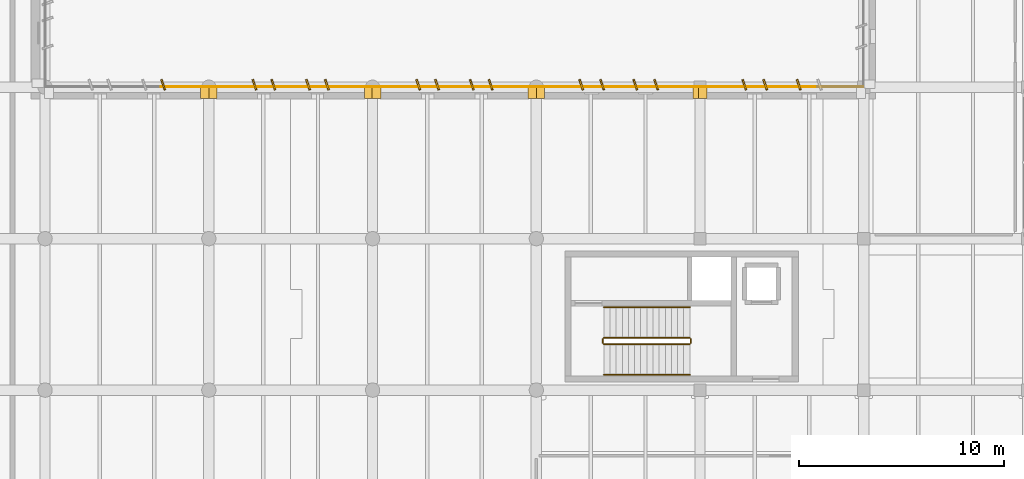
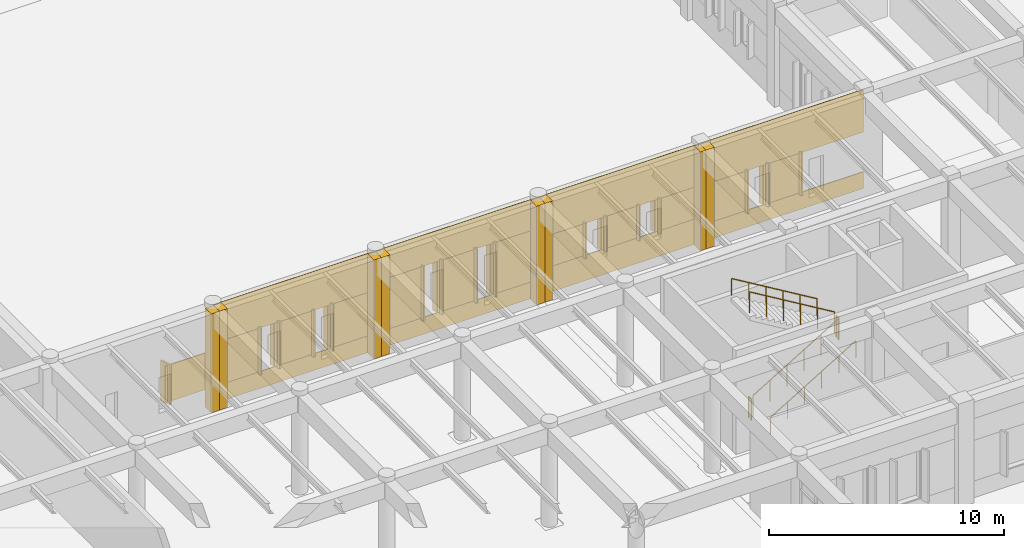
# One storey, part 47 of 56: 44 coverings, 6 railings.
"""IFC4 building model written with IfcOpenShell, lengths in metres."""

from ifc_helpers import new_model, si_unit, direction, frame, frame_2d, origin, origin_2d, place, context, subcontext, project, spatial, rectangle, circle, extrude, material, layer, layer_set, type_object, element, save


model = new_model("IFC4")

# Units and contexts
model_context = context("Model", 3, precision=1e-05, world=origin(), true_north=direction((0.0, 1.0)))
body_context = subcontext(model_context, "Body", "Model", "MODEL_VIEW")
ifc_project = project(units=[si_unit("LENGTHUNIT", "METRE"), si_unit("AREAUNIT", "SQUARE_METRE"), si_unit("VOLUMEUNIT", "CUBIC_METRE"), si_unit("PLANEANGLEUNIT", "RADIAN"), si_unit("MASSUNIT", "GRAM", prefix="KILO")], contexts=[model_context])

# Site, building, storey
site_placement = place(None, origin())
site = spatial("IfcSite", under=ifc_project, at=site_placement, CompositionType="ELEMENT")
building_placement = place(site_placement, origin())
building = spatial("IfcBuilding", under=site, at=building_placement, Name="Valkorina Park Police Headquarters", CompositionType="ELEMENT")
storey_placement = place(building_placement, origin())
storey = spatial("IfcBuildingStorey", under=building, at=storey_placement, Name="L01", CompositionType="ELEMENT", Elevation=0.0)

# Coverings
ifc_material_1 = material(Name="Precast concrete C40/50", Category="concrete")
ifc_layer = layer(ifc_material_1, 0.044921875)
ifc_layer_set = layer_set([ifc_layer], Name="Precast concrete C40/50")
covering_type = type_object("IfcCoveringType", Name="COV-CLAD-DOLOMITE", PredefinedType="CLADDING", material=ifc_layer_set)
covering_1_placement = place(storey_placement, frame((64.610107421875, 81.110107421875, 0.0), z_axis=(0.0, 0.0, 1.0), x_axis=(1.0, 0.0, 0.0)))
element("IfcCovering", 1, at=covering_1_placement, inside=storey, type_object=covering_type, Name="L01 Exterior Joint Closure Pilaster B 0322", PredefinedType="CLADDING", context=body_context, shape_type="SweptSolid", body=[
    extrude(rectangle(XDim=0.419921875, YDim=0.52197265625, at=origin_2d()), origin(), (0.0, 0.0, 1.0), 5.139892578125),
])
covering_2_placement = place(storey_placement, frame((62.5703125, 81.52001953125, 0.77978515625), z_axis=(0.0, 0.0, 1.0), x_axis=(-0.317304656405, 0.948323655206, 0.0)))
element("IfcCovering", 2, at=covering_2_placement, inside=storey, type_object=covering_type, Name="Slanted 18.5-deg Precast Window Slot Fin 0326", PredefinedType="CLADDING", context=body_context, shape_type="SweptSolid", body=[
    extrude(rectangle(XDim=0.5400390625, YDim=0.090087890625, at=origin_2d()), origin(), (0.0, 0.0, 1.0), 2.090087890625),
])
covering_3_placement = place(storey_placement, frame((62.46044921875, 81.4150390625, 0.8701171875), z_axis=(0.0, 0.0, 1.0), x_axis=(1.0, 0.0, 0.0)))
element("IfcCovering", 3, at=covering_3_placement, inside=storey, type_object=covering_type, Name="L01 Calm Concrete Base Slot Pier 0331", PredefinedType="CLADDING", context=body_context, shape_type="SweptSolid", body=[
    extrude(rectangle(XDim=2.319580078125, YDim=0.044921875, at=frame_2d((1.15966796875, 0.0))), origin(), (0.0, 0.0, 1.0), 1.909912109375),
])
for number, where, z_axis, x_axis, name in (
    (4, (64.989990234375, 81.110107421875, 0.0), (0.0, 0.0, 1.0), (1.0, 0.0, 0.0), "L01 Exterior Joint Closure Pilaster A 0332"),
    (5, (72.610107421875, 81.110107421875, 0.0), (0.0, 0.0, 1.0), (1.0, 0.0, 0.0), "L01 Exterior Joint Closure Pilaster B 0333"),
):
    element("IfcCovering", number, at=place(storey_placement, frame(where, z_axis=z_axis, x_axis=x_axis)), inside=storey, type_object=covering_type, Name=name, PredefinedType="CLADDING", context=body_context, shape_type="SweptSolid", body=[
        extrude(rectangle(XDim=0.419921875, YDim=0.52197265625, at=origin_2d()), origin(), (0.0, 0.0, 1.0), 5.139892578125),
    ])
for number, where, z_axis, x_axis, name in (
    (6, (67.029541015625, 81.52001953125, 0.780029296875), (0.0, 0.0, 1.0), (-0.317304656405, 0.948323655206, 0.0), "Slanted 18.5-deg Precast Window Slot Fin 0334"),
    (7, (67.94970703125, 81.52001953125, 0.780029296875), (0.0, 0.0, 1.0), (-0.317304656405, 0.948323655206, 0.0), "Slanted 18.5-deg Precast Window Slot Fin 0335"),
    (8, (69.650390625, 81.52001953125, 0.780029296875), (0.0, 0.0, 1.0), (-0.317304656405, 0.948323655206, 0.0), "Slanted 18.5-deg Precast Window Slot Fin 0336"),
    (9, (70.5703125, 81.52001953125, 0.780029296875), (0.0, 0.0, 1.0), (-0.317304656405, 0.948323655206, 0.0), "Slanted 18.5-deg Precast Window Slot Fin 0337"),
):
    element("IfcCovering", number, at=place(storey_placement, frame(where, z_axis=z_axis, x_axis=x_axis)), inside=storey, type_object=covering_type, Name=name, PredefinedType="CLADDING", context=body_context, shape_type="SweptSolid", body=[
        extrude(rectangle(XDim=0.5400390625, YDim=0.090087890625, at=origin_2d()), origin(), (0.0, 0.0, 1.0), 2.43994140625),
    ])
covering_4_placement = place(storey_placement, frame((64.820068359375, 81.4150390625, 0.0), z_axis=(0.0, 0.0, 1.0), x_axis=(1.0, 0.0, 0.0)))
element("IfcCovering", 10, at=covering_4_placement, inside=storey, type_object=covering_type, Name="L01 Calm Concrete Base Sill Spandrel 0338", PredefinedType="CLADDING", context=body_context, shape_type="SweptSolid", body=[
    extrude(rectangle(XDim=7.9599609375, YDim=0.044921875, at=frame_2d((3.97998046875, 0.0))), origin(), (0.0, 0.0, 1.0), 0.8701171875),
])
covering_5_placement = place(storey_placement, frame((64.820068359375, 81.4150390625, 3.1298828125), z_axis=(0.0, 0.0, 1.0), x_axis=(1.0, 0.0, 0.0)))
element("IfcCovering", 11, at=covering_5_placement, inside=storey, type_object=covering_type, Name="L01 Calm Concrete Base Lintel Spandrel 0339", PredefinedType="CLADDING", context=body_context, shape_type="SweptSolid", body=[
    extrude(rectangle(XDim=7.9599609375, YDim=0.044921875, at=frame_2d((3.97998046875, 0.0))), origin(), (0.0, 0.0, 1.0), 2.010009765625),
])
covering_6_placement = place(storey_placement, frame((64.820068359375, 81.4150390625, 0.8701171875), z_axis=(0.0, 0.0, 1.0), x_axis=(1.0, 0.0, 0.0)))
element("IfcCovering", 12, at=covering_6_placement, inside=storey, type_object=covering_type, Name="L01 Calm Concrete Base Slot Pier 0340", PredefinedType="CLADDING", context=body_context, shape_type="SweptSolid", body=[
    extrude(rectangle(XDim=2.319580078125, YDim=0.044921875, at=frame_2d((1.15966796875, 0.0))), origin(), (0.0, 0.0, 1.0), 2.259765625),
])
covering_7_placement = place(storey_placement, frame((67.839599609375, 81.4150390625, 0.8701171875), z_axis=(0.0, 0.0, 1.0), x_axis=(1.0, 0.0, 0.0)))
element("IfcCovering", 13, at=covering_7_placement, inside=storey, type_object=covering_type, Name="L01 Calm Concrete Base Slot Pier 0341", PredefinedType="CLADDING", context=body_context, shape_type="SweptSolid", body=[
    extrude(rectangle(XDim=1.9208984375, YDim=0.044921875, at=frame_2d((0.96044921875, 0.0))), origin(), (0.0, 0.0, 1.0), 2.259765625),
])
covering_8_placement = place(storey_placement, frame((70.46044921875, 81.4150390625, 0.8701171875), z_axis=(0.0, 0.0, 1.0), x_axis=(1.0, 0.0, 0.0)))
element("IfcCovering", 14, at=covering_8_placement, inside=storey, type_object=covering_type, Name="L01 Calm Concrete Base Slot Pier 0342", PredefinedType="CLADDING", context=body_context, shape_type="SweptSolid", body=[
    extrude(rectangle(XDim=2.319580078125, YDim=0.044921875, at=frame_2d((1.15966796875, 0.0))), origin(), (0.0, 0.0, 1.0), 2.259765625),
])
for number, where, z_axis, x_axis, name in (
    (15, (72.989990234375, 81.110107421875, 0.0), (0.0, 0.0, 1.0), (1.0, 0.0, 0.0), "L01 Exterior Joint Closure Pilaster A 0343"),
    (16, (80.610107421875, 81.110107421875, 0.0), (0.0, 0.0, 1.0), (1.0, 0.0, 0.0), "L01 Exterior Joint Closure Pilaster B 0344"),
):
    element("IfcCovering", number, at=place(storey_placement, frame(where, z_axis=z_axis, x_axis=x_axis)), inside=storey, type_object=covering_type, Name=name, PredefinedType="CLADDING", context=body_context, shape_type="SweptSolid", body=[
        extrude(rectangle(XDim=0.419921875, YDim=0.52197265625, at=origin_2d()), origin(), (0.0, 0.0, 1.0), 5.139892578125),
    ])
for number, where, z_axis, x_axis, name in (
    (17, (75.029541015625, 81.52001953125, 0.77978515625), (0.0, 0.0, 1.0), (-0.317304656405, 0.948323655206, 0.0), "Slanted 18.5-deg Precast Window Slot Fin 0345"),
    (18, (75.94970703125, 81.52001953125, 0.77978515625), (0.0, 0.0, 1.0), (-0.317304656405, 0.948323655206, 0.0), "Slanted 18.5-deg Precast Window Slot Fin 0346"),
    (19, (77.650390625, 81.52001953125, 0.77978515625), (0.0, 0.0, 1.0), (-0.317304656405, 0.948323655206, 0.0), "Slanted 18.5-deg Precast Window Slot Fin 0347"),
    (20, (78.5703125, 81.52001953125, 0.77978515625), (0.0, 0.0, 1.0), (-0.317304656405, 0.948323655206, 0.0), "Slanted 18.5-deg Precast Window Slot Fin 0348"),
):
    element("IfcCovering", number, at=place(storey_placement, frame(where, z_axis=z_axis, x_axis=x_axis)), inside=storey, type_object=covering_type, Name=name, PredefinedType="CLADDING", context=body_context, shape_type="SweptSolid", body=[
        extrude(rectangle(XDim=0.5400390625, YDim=0.090087890625, at=origin_2d()), origin(), (0.0, 0.0, 1.0), 2.840087890625),
    ])
covering_9_placement = place(storey_placement, frame((72.820068359375, 81.4150390625, 0.0), z_axis=(0.0, 0.0, 1.0), x_axis=(1.0, 0.0, 0.0)))
element("IfcCovering", 21, at=covering_9_placement, inside=storey, type_object=covering_type, Name="L01 Calm Concrete Base Sill Spandrel 0349", PredefinedType="CLADDING", context=body_context, shape_type="SweptSolid", body=[
    extrude(rectangle(XDim=7.9599609375, YDim=0.044921875, at=frame_2d((3.97998046875, 0.0))), origin(), (0.0, 0.0, 1.0), 0.8701171875),
])
covering_10_placement = place(storey_placement, frame((72.820068359375, 81.4150390625, 3.530029296875), z_axis=(0.0, 0.0, 1.0), x_axis=(1.0, 0.0, 0.0)))
element("IfcCovering", 22, at=covering_10_placement, inside=storey, type_object=covering_type, Name="L01 Calm Concrete Base Lintel Spandrel 0350", PredefinedType="CLADDING", context=body_context, shape_type="SweptSolid", body=[
    extrude(rectangle(XDim=7.9599609375, YDim=0.044921875, at=frame_2d((3.97998046875, 0.0))), origin(), (0.0, 0.0, 1.0), 1.60986328125),
])
covering_11_placement = place(storey_placement, frame((72.820068359375, 81.4150390625, 0.8701171875), z_axis=(0.0, 0.0, 1.0), x_axis=(1.0, 0.0, 0.0)))
element("IfcCovering", 23, at=covering_11_placement, inside=storey, type_object=covering_type, Name="L01 Calm Concrete Base Slot Pier 0351", PredefinedType="CLADDING", context=body_context, shape_type="SweptSolid", body=[
    extrude(rectangle(XDim=2.319580078125, YDim=0.044921875, at=frame_2d((1.15966796875, 0.0))), origin(), (0.0, 0.0, 1.0), 2.659912109375),
])
covering_12_placement = place(storey_placement, frame((75.839599609375, 81.4150390625, 0.8701171875), z_axis=(0.0, 0.0, 1.0), x_axis=(1.0, 0.0, 0.0)))
element("IfcCovering", 24, at=covering_12_placement, inside=storey, type_object=covering_type, Name="L01 Calm Concrete Base Slot Pier 0352", PredefinedType="CLADDING", context=body_context, shape_type="SweptSolid", body=[
    extrude(rectangle(XDim=1.9208984375, YDim=0.044921875, at=frame_2d((0.96044921875, 0.0))), origin(), (0.0, 0.0, 1.0), 2.659912109375),
])
covering_13_placement = place(storey_placement, frame((78.46044921875, 81.4150390625, 0.8701171875), z_axis=(0.0, 0.0, 1.0), x_axis=(1.0, 0.0, 0.0)))
element("IfcCovering", 25, at=covering_13_placement, inside=storey, type_object=covering_type, Name="L01 Calm Concrete Base Slot Pier 0353", PredefinedType="CLADDING", context=body_context, shape_type="SweptSolid", body=[
    extrude(rectangle(XDim=2.319580078125, YDim=0.044921875, at=frame_2d((1.15966796875, 0.0))), origin(), (0.0, 0.0, 1.0), 2.659912109375),
])
for number, where, z_axis, x_axis, name in (
    (26, (80.989990234375, 81.110107421875, 0.0), (0.0, 0.0, 1.0), (1.0, 0.0, 0.0), "L01 Exterior Joint Closure Pilaster A 0354"),
    (27, (88.659912109375, 81.110107421875, 0.0), (0.0, 0.0, 1.0), (1.0, 0.0, 0.0), "L01 Exterior Joint Closure Pilaster B 0355"),
):
    element("IfcCovering", number, at=place(storey_placement, frame(where, z_axis=z_axis, x_axis=x_axis)), inside=storey, type_object=covering_type, Name=name, PredefinedType="CLADDING", context=body_context, shape_type="SweptSolid", body=[
        extrude(rectangle(XDim=0.419921875, YDim=0.52197265625, at=origin_2d()), origin(), (0.0, 0.0, 1.0), 5.139892578125),
    ])
for number, where, z_axis, x_axis, name in (
    (28, (82.99560546875, 81.52001953125, 1.22998046875), (0.0, 0.0, 1.0), (-0.317304656405, 0.948323655206, 0.0), "Slanted 18.5-deg Precast Window Slot Fin 0356"),
    (29, (84.015625, 81.52001953125, 1.22998046875), (0.0, 0.0, 1.0), (-0.317304656405, 0.948323655206, 0.0), "Slanted 18.5-deg Precast Window Slot Fin 0357"),
    (30, (85.634521484375, 81.52001953125, 1.22998046875), (0.0, 0.0, 1.0), (-0.317304656405, 0.948323655206, 0.0), "Slanted 18.5-deg Precast Window Slot Fin 0358"),
    (31, (86.654296875, 81.52001953125, 1.22998046875), (0.0, 0.0, 1.0), (-0.317304656405, 0.948323655206, 0.0), "Slanted 18.5-deg Precast Window Slot Fin 0359"),
):
    element("IfcCovering", number, at=place(storey_placement, frame(where, z_axis=z_axis, x_axis=x_axis)), inside=storey, type_object=covering_type, Name=name, PredefinedType="CLADDING", context=body_context, shape_type="SweptSolid", body=[
        extrude(rectangle(XDim=0.5400390625, YDim=0.090087890625, at=origin_2d()), origin(), (0.0, 0.0, 1.0), 1.840087890625),
    ])
covering_14_placement = place(storey_placement, frame((80.820068359375, 81.4150390625, 0.0), z_axis=(0.0, 0.0, 1.0), x_axis=(1.0, 0.0, 0.0)))
element("IfcCovering", 32, at=covering_14_placement, inside=storey, type_object=covering_type, Name="L01 Calm Concrete Base Sill Spandrel 0360", PredefinedType="CLADDING", context=body_context, shape_type="SweptSolid", body=[
    extrude(rectangle(XDim=7.9599609375, YDim=0.044921875, at=frame_2d((3.97998046875, 0.0))), origin(), (0.0, 0.0, 1.0), 1.320068359375),
])
covering_15_placement = place(storey_placement, frame((80.820068359375, 81.4150390625, 2.97998046875), z_axis=(0.0, 0.0, 1.0), x_axis=(1.0, 0.0, 0.0)))
element("IfcCovering", 33, at=covering_15_placement, inside=storey, type_object=covering_type, Name="L01 Calm Concrete Base Lintel Spandrel 0361", PredefinedType="CLADDING", context=body_context, shape_type="SweptSolid", body=[
    extrude(rectangle(XDim=7.9599609375, YDim=0.044921875, at=frame_2d((3.97998046875, 0.0))), origin(), (0.0, 0.0, 1.0), 2.159912109375),
])
covering_16_placement = place(storey_placement, frame((80.820068359375, 81.4150390625, 1.320068359375), z_axis=(0.0, 0.0, 1.0), x_axis=(1.0, 0.0, 0.0)))
element("IfcCovering", 34, at=covering_16_placement, inside=storey, type_object=covering_type, Name="L01 Calm Concrete Base Slot Pier 0362", PredefinedType="CLADDING", context=body_context, shape_type="SweptSolid", body=[
    extrude(rectangle(XDim=2.28564453125, YDim=0.044921875, at=frame_2d((1.142822265625, 0.0))), origin(), (0.0, 0.0, 1.0), 1.659912109375),
])
covering_17_placement = place(storey_placement, frame((83.905517578125, 81.4150390625, 1.320068359375), z_axis=(0.0, 0.0, 1.0), x_axis=(1.0, 0.0, 0.0)))
element("IfcCovering", 35, at=covering_17_placement, inside=storey, type_object=covering_type, Name="L01 Calm Concrete Base Slot Pier 0363", PredefinedType="CLADDING", context=body_context, shape_type="SweptSolid", body=[
    extrude(rectangle(XDim=1.8388671875, YDim=0.044921875, at=frame_2d((0.91943359375, 0.0))), origin(), (0.0, 0.0, 1.0), 1.659912109375),
])
covering_18_placement = place(storey_placement, frame((86.54443359375, 81.4150390625, 1.320068359375), z_axis=(0.0, 0.0, 1.0), x_axis=(1.0, 0.0, 0.0)))
element("IfcCovering", 36, at=covering_18_placement, inside=storey, type_object=covering_type, Name="L01 Calm Concrete Base Slot Pier 0364", PredefinedType="CLADDING", context=body_context, shape_type="SweptSolid", body=[
    extrude(rectangle(XDim=2.235595703125, YDim=0.044921875, at=frame_2d((1.11767578125, 0.0))), origin(), (0.0, 0.0, 1.0), 1.659912109375),
])
covering_19_placement = place(storey_placement, frame((88.93994140625, 81.110107421875, 0.0), z_axis=(0.0, 0.0, 1.0), x_axis=(1.0, 0.0, 0.0)))
element("IfcCovering", 37, at=covering_19_placement, inside=storey, type_object=covering_type, Name="L01 Exterior Joint Closure Pilaster A 0365", PredefinedType="CLADDING", context=body_context, shape_type="SweptSolid", body=[
    extrude(rectangle(XDim=0.419921875, YDim=0.52197265625, at=origin_2d()), origin(), (0.0, 0.0, 1.0), 5.139892578125),
])
for number, where, z_axis, x_axis, name in (
    (38, (90.961669921875, 81.52001953125, 0.77978515625), (0.0, 0.0, 1.0), (-0.317304656405, 0.948323655206, 0.0), "Slanted 18.5-deg Precast Window Slot Fin 0367"),
    (39, (91.981689453125, 81.52001953125, 0.77978515625), (0.0, 0.0, 1.0), (-0.317304656405, 0.948323655206, 0.0), "Slanted 18.5-deg Precast Window Slot Fin 0368"),
    (40, (93.618408203125, 81.52001953125, 0.77978515625), (0.0, 0.0, 1.0), (-0.317304656405, 0.948323655206, 0.0), "Slanted 18.5-deg Precast Window Slot Fin 0369"),
):
    element("IfcCovering", number, at=place(storey_placement, frame(where, z_axis=z_axis, x_axis=x_axis)), inside=storey, type_object=covering_type, Name=name, PredefinedType="CLADDING", context=body_context, shape_type="SweptSolid", body=[
        extrude(rectangle(XDim=0.5400390625, YDim=0.090087890625, at=origin_2d()), origin(), (0.0, 0.0, 1.0), 2.239990234375),
    ])
covering_20_placement = place(storey_placement, frame((88.820068359375, 81.4150390625, 0.0), z_axis=(0.0, 0.0, 1.0), x_axis=(1.0, 0.0, 0.0)))
element("IfcCovering", 41, at=covering_20_placement, inside=storey, type_object=covering_type, Name="L01 Calm Concrete Base Sill Spandrel 0371", PredefinedType="CLADDING", context=body_context, shape_type="SweptSolid", body=[
    extrude(rectangle(XDim=7.9599609375, YDim=0.044921875, at=frame_2d((3.97998046875, 0.0))), origin(), (0.0, 0.0, 1.0), 0.8701171875),
])
covering_21_placement = place(storey_placement, frame((88.820068359375, 81.4150390625, 2.929931640625), z_axis=(0.0, 0.0, 1.0), x_axis=(1.0, 0.0, 0.0)))
element("IfcCovering", 42, at=covering_21_placement, inside=storey, type_object=covering_type, Name="L01 Calm Concrete Base Lintel Spandrel 0372", PredefinedType="CLADDING", context=body_context, shape_type="SweptSolid", body=[
    extrude(rectangle(XDim=7.9599609375, YDim=0.044921875, at=frame_2d((3.97998046875, 0.0))), origin(), (0.0, 0.0, 1.0), 2.2099609375),
])
covering_22_placement = place(storey_placement, frame((88.820068359375, 81.4150390625, 0.8701171875), z_axis=(0.0, 0.0, 1.0), x_axis=(1.0, 0.0, 0.0)))
element("IfcCovering", 43, at=covering_22_placement, inside=storey, type_object=covering_type, Name="L01 Calm Concrete Base Slot Pier 0373", PredefinedType="CLADDING", context=body_context, shape_type="SweptSolid", body=[
    extrude(rectangle(XDim=2.25146484375, YDim=0.044921875, at=frame_2d((1.125732421875, 0.0))), origin(), (0.0, 0.0, 1.0), 2.059814453125),
])
covering_23_placement = place(storey_placement, frame((91.87158203125, 81.4150390625, 0.8701171875), z_axis=(0.0, 0.0, 1.0), x_axis=(1.0, 0.0, 0.0)))
element("IfcCovering", 44, at=covering_23_placement, inside=storey, type_object=covering_type, Name="L01 Calm Concrete Base Slot Pier 0374", PredefinedType="CLADDING", context=body_context, shape_type="SweptSolid", body=[
    extrude(rectangle(XDim=1.85693359375, YDim=0.044921875, at=frame_2d((0.928466796875, 0.0))), origin(), (0.0, 0.0, 1.0), 2.059814453125),
])

# Railings
ifc_material_2 = material(Name="Stainless steel EN 1.4404", Category="steel")
railing_type_1 = type_object("IfcRailingType", Name="RL-GUARD-INT-1100", PredefinedType="BALUSTRADE", material=ifc_material_2)
railing_1_placement = place(storey_placement, frame((84.10009765625, 68.85009765625, 0.179931640625)))
element("IfcRailing", 45, at=railing_1_placement, inside=storey, type_object=railing_type_1, Name="L01 Core C6 Stair Guard 1", PredefinedType="BALUSTRADE", context=body_context, shape_type="SweptSolid", body=[
    extrude(circle(Radius=0.02392578125, at=origin_2d()), frame((0.0, 0.0, 1.09619140625), z_axis=(0.857488527567, 0.0, 0.514503085598), x_axis=(0.0, 1.0, 0.0)), (0.0, 0.0, 1.0), 4.89794921875),
    extrude(circle(Radius=0.02099609375, at=origin_2d()), origin(), (0.0, 0.0, 1.0), 1.072021484375),
    extrude(circle(Radius=0.02099609375, at=origin_2d()), frame((0.840087890625, 0.0, 0.50390625)), (0.0, 0.0, 1.0), 1.072021484375),
    extrude(circle(Radius=0.02099609375, at=origin_2d()), frame((1.679931640625, 0.0, 1.008056640625)), (0.0, 0.0, 1.0), 1.072021484375),
    extrude(circle(Radius=0.02099609375, at=origin_2d()), frame((2.52001953125, 0.0, 1.511962890625)), (0.0, 0.0, 1.0), 1.072021484375),
    extrude(circle(Radius=0.02099609375, at=origin_2d()), frame((3.35986328125, 0.0, 2.01611328125)), (0.0, 0.0, 1.0), 1.072021484375),
    extrude(circle(Radius=0.02099609375, at=origin_2d()), frame((4.199951171875, 0.0, 2.52001953125)), (0.0, 0.0, 1.0), 1.072021484375),
])
railing_2_placement = place(storey_placement, frame((88.35009765625, 68.89990234375, 2.699951171875)))
element("IfcRailing", 46, at=railing_2_placement, inside=storey, type_object=railing_type_1, Name="L01 Core C6 Stair Guard 2", PredefinedType="BALUSTRADE", context=body_context, shape_type="SweptSolid", body=[
    extrude(circle(Radius=0.02392578125, at=origin_2d()), frame((0.0, 0.0, 1.09619140625), z_axis=(0.0, 1.0, 0.0), x_axis=(-1.0, 0.0, 0.0)), (0.0, 0.0, 1.0), 0.2001953125),
    extrude(circle(Radius=0.02099609375, at=origin_2d()), origin(), (0.0, 0.0, 1.0), 1.072021484375),
    extrude(circle(Radius=0.02099609375, at=origin_2d()), frame((0.0, 0.2001953125, 0.0)), (0.0, 0.0, 1.0), 1.072021484375),
])
railing_3_placement = place(storey_placement, frame((88.300048828125, 69.14990234375, 2.8798828125)))
element("IfcRailing", 47, at=railing_3_placement, inside=storey, type_object=railing_type_1, Name="L01 Core C6 Stair Guard 3", PredefinedType="BALUSTRADE", context=body_context, shape_type="SweptSolid", body=[
    extrude(circle(Radius=0.02392578125, at=origin_2d()), frame((0.0, 0.0, 1.09619140625), z_axis=(-0.857488527567, 0.0, 0.514503085598), x_axis=(0.0, -1.0, 0.0)), (0.0, 0.0, 1.0), 4.89794921875),
    extrude(circle(Radius=0.02099609375, at=origin_2d()), origin(), (0.0, 0.0, 1.0), 1.072021484375),
    extrude(circle(Radius=0.02099609375, at=origin_2d()), frame((-0.840087890625, 0.0, 0.50390625)), (0.0, 0.0, 1.0), 1.072021484375),
    extrude(circle(Radius=0.02099609375, at=origin_2d()), frame((-1.679931640625, 0.0, 1.008056640625)), (0.0, 0.0, 1.0), 1.072021484375),
    extrude(circle(Radius=0.02099609375, at=origin_2d()), frame((-2.52001953125, 0.0, 1.511962890625)), (0.0, 0.0, 1.0), 1.072021484375),
    extrude(circle(Radius=0.02099609375, at=origin_2d()), frame((-3.35986328125, 0.0, 2.01611328125)), (0.0, 0.0, 1.0), 1.072021484375),
    extrude(circle(Radius=0.02099609375, at=origin_2d()), frame((-4.199951171875, 0.0, 2.52001953125)), (0.0, 0.0, 1.0), 1.072021484375),
])
railing_4_placement = place(storey_placement, frame((84.050048828125, 68.89990234375, 0.0)))
element("IfcRailing", 48, at=railing_4_placement, inside=storey, type_object=railing_type_1, Name="L01 Core C6 Stair Guard 4", PredefinedType="BALUSTRADE", context=body_context, shape_type="SweptSolid", body=[
    extrude(circle(Radius=0.02392578125, at=origin_2d()), frame((0.0, 0.0, 1.09619140625), z_axis=(0.0, 1.0, 0.0), x_axis=(-1.0, 0.0, 0.0)), (0.0, 0.0, 1.0), 0.2001953125),
    extrude(circle(Radius=0.02099609375, at=origin_2d()), origin(), (0.0, 0.0, 1.0), 1.072021484375),
    extrude(circle(Radius=0.02099609375, at=origin_2d()), frame((0.0, 0.2001953125, 0.0)), (0.0, 0.0, 1.0), 1.072021484375),
])
railing_type_2 = type_object("IfcRailingType", Name="RL-HANDRAIL-900", PredefinedType="HANDRAIL", material=ifc_material_2)
railing_5_placement = place(storey_placement, frame((84.10009765625, 67.35009765625, 0.179931640625)))
element("IfcRailing", 49, at=railing_5_placement, inside=storey, type_object=railing_type_2, Name="L01 Core C6 Stair Handrail 1", PredefinedType="HANDRAIL", context=body_context, shape_type="SweptSolid", body=[
    extrude(circle(Radius=0.02392578125, at=origin_2d()), frame((0.0, 0.0, 0.8759765625), z_axis=(0.857488527567, 0.0, 0.514503085598), x_axis=(0.0, 1.0, 0.0)), (0.0, 0.0, 1.0), 4.89794921875),
    extrude(circle(Radius=0.02099609375, at=origin_2d()), origin(), (0.0, 0.0, 1.0), 0.851806640625),
    extrude(circle(Radius=0.02099609375, at=origin_2d()), frame((0.840087890625, 0.0, 0.50390625)), (0.0, 0.0, 1.0), 0.851806640625),
    extrude(circle(Radius=0.02099609375, at=origin_2d()), frame((1.679931640625, 0.0, 1.008056640625)), (0.0, 0.0, 1.0), 0.851806640625),
    extrude(circle(Radius=0.02099609375, at=origin_2d()), frame((2.52001953125, 0.0, 1.511962890625)), (0.0, 0.0, 1.0), 0.851806640625),
    extrude(circle(Radius=0.02099609375, at=origin_2d()), frame((3.35986328125, 0.0, 2.01611328125)), (0.0, 0.0, 1.0), 0.851806640625),
    extrude(circle(Radius=0.02099609375, at=origin_2d()), frame((4.199951171875, 0.0, 2.52001953125)), (0.0, 0.0, 1.0), 0.851806640625),
])
railing_6_placement = place(storey_placement, frame((88.300048828125, 70.64990234375, 2.8798828125)))
element("IfcRailing", 50, at=railing_6_placement, inside=storey, type_object=railing_type_2, Name="L01 Core C6 Stair Handrail 2", PredefinedType="HANDRAIL", context=body_context, shape_type="SweptSolid", body=[
    extrude(circle(Radius=0.02392578125, at=origin_2d()), frame((0.0, 0.0, 0.8759765625), z_axis=(-0.857488527567, 0.0, 0.514503085598), x_axis=(0.0, -1.0, 0.0)), (0.0, 0.0, 1.0), 4.89794921875),
    extrude(circle(Radius=0.02099609375, at=origin_2d()), origin(), (0.0, 0.0, 1.0), 0.851806640625),
    extrude(circle(Radius=0.02099609375, at=origin_2d()), frame((-0.840087890625, 0.0, 0.50390625)), (0.0, 0.0, 1.0), 0.851806640625),
    extrude(circle(Radius=0.02099609375, at=origin_2d()), frame((-1.679931640625, 0.0, 1.008056640625)), (0.0, 0.0, 1.0), 0.851806640625),
    extrude(circle(Radius=0.02099609375, at=origin_2d()), frame((-2.52001953125, 0.0, 1.511962890625)), (0.0, 0.0, 1.0), 0.851806640625),
    extrude(circle(Radius=0.02099609375, at=origin_2d()), frame((-3.35986328125, 0.0, 2.01611328125)), (0.0, 0.0, 1.0), 0.851806640625),
    extrude(circle(Radius=0.02099609375, at=origin_2d()), frame((-4.199951171875, 0.0, 2.52001953125)), (0.0, 0.0, 1.0), 0.851806640625),
])

save(model, "model.ifc")
